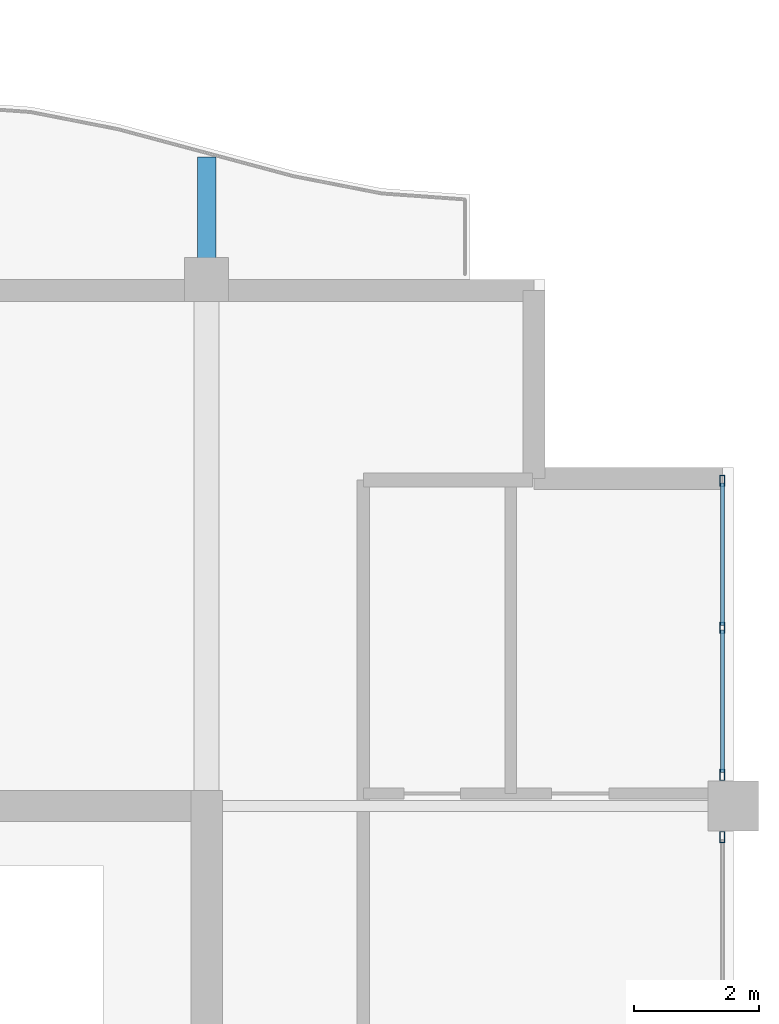
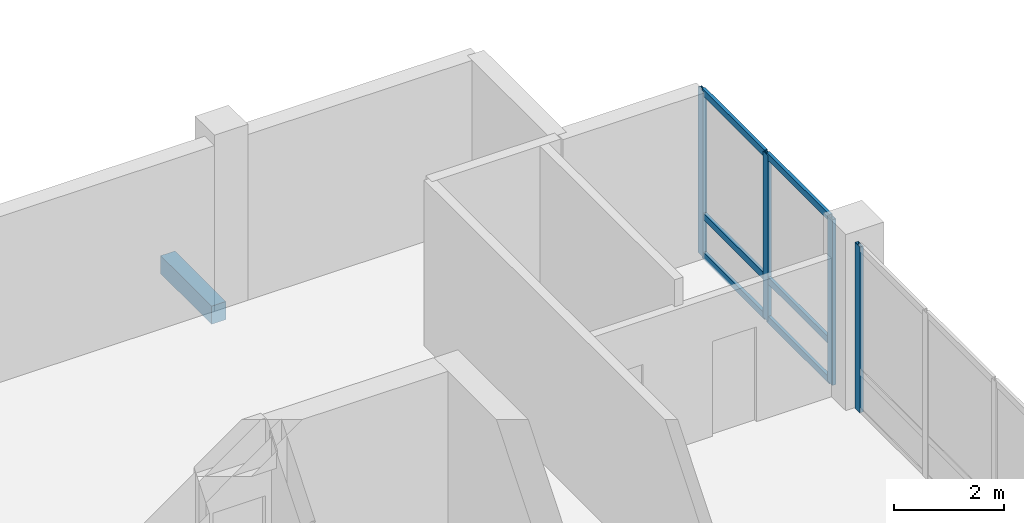
# One storey, part 4 of 15: 10 members, 1 beam, 2 elements without a shape of their own.
"""IFC4 building model written with IfcOpenShell, lengths in metres."""

from ifc_helpers import new_model, si_unit, direction, frame, origin, origin_2d, place, context, subcontext, project, spatial, rectangle, hollow_rectangle, extrude, material, layer, layer_set, material_profile, profile_set, type_object, element, aggregate, save


model = new_model("IFC4")

# Units and contexts
model_context = context("Model", 3, precision=1e-05, world=origin(), true_north=direction((0.0, 1.0)))
body_context = subcontext(model_context, "Body", "Model", "MODEL_VIEW")
ifc_project = project(units=[si_unit("LENGTHUNIT", "METRE"), si_unit("AREAUNIT", "SQUARE_METRE"), si_unit("VOLUMEUNIT", "CUBIC_METRE"), si_unit("PLANEANGLEUNIT", "RADIAN"), si_unit("MASSUNIT", "GRAM", prefix="KILO")], contexts=[model_context])

# Site, building, storey
site_placement = place(None, origin())
site = spatial("IfcSite", under=ifc_project, at=site_placement, CompositionType="ELEMENT")
building_placement = place(site_placement, origin())
building = spatial("IfcBuilding", under=site, at=building_placement, Name="Koriwani Terraces Tower", CompositionType="ELEMENT")
storey_placement = place(building_placement, frame((0.0, 0.0, 324.199951171875)))
storey = spatial("IfcBuildingStorey", under=building, at=storey_placement, Name="L80", CompositionType="ELEMENT", Elevation=324.199951171875)

# Beam
ifc_material_1 = material(Name="Concrete C40/50", Category="concrete")
ifc_material_profile_1 = material_profile(ifc_material_1, rectangle(XDim=0.300048828125, YDim=0.39990234375, at=origin_2d()), Name="Concrete C40/50", Category="LoadBearing")
ifc_profile_set_1 = profile_set([ifc_material_profile_1], Name="Concrete C40/50")
beam_type = type_object("IfcBeamType", Name="BEAM_RC_BALCONY_RIB_300X400", PredefinedType="JOIST", material=ifc_profile_set_1)
beam_placement = place(storey_placement, frame((58.800048828125, 33.699951171875, -0.429931640625), z_axis=(0.0, 1.0, 0.0), x_axis=(-1.0, 0.0, 0.0)))
element("IfcBeam", 1, at=beam_placement, inside=storey, type_object=beam_type, Name="L80 Balcony Bracket Rib NE-3", PredefinedType="JOIST", context=body_context, shape_type="SweptSolid", body=[
    extrude(rectangle(XDim=0.300048828125, YDim=0.39990234375, at=origin_2d()), origin(), (0.0, 0.0, 1.0), 1.85009765625),
])

# Curtain wall, members
ifc_material_2 = material(Name="Anodised Bronze Aluminium", Category="aluminium")
ifc_layer = layer(ifc_material_2, 0.18994140625, Name="Anodised Bronze Aluminium")
ifc_layer_set = layer_set([ifc_layer], Name="Anodised Bronze Aluminium")
curtain_wall_type = type_object("IfcCurtainWallType", Name="CW_PENTHOUSE_ZONE5", PredefinedType="NOTDEFINED", material=ifc_layer_set)
curtain_wall_1_placement = place(storey_placement, origin())
curtain_wall_1 = element("IfcCurtainWall", 2, at=curtain_wall_1_placement, inside=storey, type_object=curtain_wall_type, Name="L80 Unitised Curtain Wall (E_TIP) Bay 1", PredefinedType="NOTDEFINED")
ifc_material_profile_2 = material_profile(ifc_material_2, hollow_rectangle(XDim=0.074951171875, YDim=0.179931640625, WallThickness=0.006103515625, at=origin_2d()), Name="Anodised Bronze Aluminium", Category="LoadBearing")
ifc_profile_set_2 = profile_set([ifc_material_profile_2], Name="Anodised Bronze Aluminium")
member_type_1 = type_object("IfcMemberType", Name="CW_MULLION_180X75", PredefinedType="MULLION", material=ifc_profile_set_2)
member_1_placement = place(storey_placement, frame((67.02490234375, 30.387451171875, 0.0), z_axis=(0.0, 0.0, 1.0), x_axis=(1.0, 0.0, 0.0)))
member_1 = element("IfcMember", 3, at=member_1_placement, type_object=member_type_1, Name="CW-Z5 mullion 1", PredefinedType="MULLION", context=body_context, shape_type="SweptSolid", body=[
    extrude(hollow_rectangle(XDim=0.074951171875, YDim=0.179931640625, WallThickness=0.006103515625, at=origin_2d()), origin(), (0.0, 0.0, 1.0), 3.670166015625),
])
member_2_placement = place(storey_placement, frame((67.02490234375, 28.04248046875, 0.0), z_axis=(0.0, 0.0, 1.0), x_axis=(1.0, 0.0, 0.0)))
member_2 = element("IfcMember", 4, at=member_2_placement, type_object=member_type_1, Name="CW-Z5 mullion 2", PredefinedType="MULLION", context=body_context, shape_type="SweptSolid", body=[
    extrude(hollow_rectangle(XDim=0.074951171875, YDim=0.179931640625, WallThickness=0.006103515625, at=origin_2d()), origin(), (0.0, 0.0, 1.0), 3.670166015625),
])
member_3_placement = place(storey_placement, frame((67.02490234375, 25.697509765625, 0.0), z_axis=(0.0, 0.0, 1.0), x_axis=(1.0, 0.0, 0.0)))
member_3 = element("IfcMember", 5, at=member_3_placement, type_object=member_type_1, Name="CW-Z5 mullion 3", PredefinedType="MULLION", context=body_context, shape_type="SweptSolid", body=[
    extrude(hollow_rectangle(XDim=0.074951171875, YDim=0.179931640625, WallThickness=0.006103515625, at=origin_2d()), origin(), (0.0, 0.0, 1.0), 3.670166015625),
])

# Curtain wall, member
curtain_wall_2_placement = place(storey_placement, origin())
curtain_wall_2 = element("IfcCurtainWall", 6, at=curtain_wall_2_placement, inside=storey, type_object=curtain_wall_type, Name="L80 Unitised Curtain Wall (E_TIP) Bay 2", PredefinedType="NOTDEFINED")
member_4_placement = place(storey_placement, frame((67.02490234375, 24.702392578125, 0.0), z_axis=(0.0, 0.0, 1.0), x_axis=(1.0, 0.0, 0.0)))
member_4 = element("IfcMember", 7, at=member_4_placement, type_object=member_type_1, Name="CW-Z5 mullion 1", PredefinedType="MULLION", context=body_context, shape_type="SweptSolid", body=[
    extrude(hollow_rectangle(XDim=0.074951171875, YDim=0.179931640625, WallThickness=0.006103515625, at=origin_2d()), origin(), (0.0, 0.0, 1.0), 3.670166015625),
])
aggregate(curtain_wall_2, [member_4])

# Member
ifc_material_profile_3 = material_profile(ifc_material_2, hollow_rectangle(XDim=0.06494140625, YDim=0.14990234375, WallThickness=0.0048828125, at=origin_2d()), Name="Anodised Bronze Aluminium", Category="LoadBearing")
ifc_profile_set_3 = profile_set([ifc_material_profile_3], Name="Anodised Bronze Aluminium")
member_type_2 = type_object("IfcMemberType", Name="CW_TRANSOM_150X65", PredefinedType="USERDEFINED", material=ifc_profile_set_3)
member_5_placement = place(storey_placement, frame((67.02490234375, 30.35009765625, 0.032470703125), z_axis=(0.0, -1.0, 0.0), x_axis=(1.0, 0.0, 0.0)))
member_5 = element("IfcMember", 8, at=member_5_placement, type_object=member_type_2, Name="CW-Z5 transom 1.1", ObjectType="TRANSOM", PredefinedType="USERDEFINED", context=body_context, shape_type="SweptSolid", body=[
    extrude(hollow_rectangle(XDim=0.06494140625, YDim=0.14990234375, WallThickness=0.0048828125, at=origin_2d()), origin(), (0.0, 0.0, 1.0), 2.27001953125),
])

member_6_placement = place(storey_placement, frame((67.02490234375, 30.35009765625, 0.900146484375), z_axis=(0.0, -1.0, 0.0), x_axis=(1.0, 0.0, 0.0)))
member_6 = element("IfcMember", 9, at=member_6_placement, type_object=member_type_2, Name="CW-Z5 transom 1.2", ObjectType="TRANSOM", PredefinedType="USERDEFINED", context=body_context, shape_type="SweptSolid", body=[
    extrude(hollow_rectangle(XDim=0.06494140625, YDim=0.14990234375, WallThickness=0.0048828125, at=origin_2d()), origin(), (0.0, 0.0, 1.0), 2.27001953125),
])

member_7_placement = place(storey_placement, frame((67.02490234375, 30.35009765625, 3.637451171875), z_axis=(0.0, -1.0, 0.0), x_axis=(1.0, 0.0, 0.0)))
member_7 = element("IfcMember", 10, at=member_7_placement, type_object=member_type_2, Name="CW-Z5 transom 1.3", ObjectType="TRANSOM", PredefinedType="USERDEFINED", context=body_context, shape_type="SweptSolid", body=[
    extrude(hollow_rectangle(XDim=0.06494140625, YDim=0.14990234375, WallThickness=0.0048828125, at=origin_2d()), origin(), (0.0, 0.0, 1.0), 2.27001953125),
])

member_8_placement = place(storey_placement, frame((67.02490234375, 28.0048828125, 0.032470703125), z_axis=(0.0, -1.0, 0.0), x_axis=(1.0, 0.0, 0.0)))
member_8 = element("IfcMember", 11, at=member_8_placement, type_object=member_type_2, Name="CW-Z5 transom 2.1", ObjectType="TRANSOM", PredefinedType="USERDEFINED", context=body_context, shape_type="SweptSolid", body=[
    extrude(hollow_rectangle(XDim=0.06494140625, YDim=0.14990234375, WallThickness=0.0048828125, at=origin_2d()), origin(), (0.0, 0.0, 1.0), 2.269775390625),
])

member_9_placement = place(storey_placement, frame((67.02490234375, 28.0048828125, 0.900146484375), z_axis=(0.0, -1.0, 0.0), x_axis=(1.0, 0.0, 0.0)))
member_9 = element("IfcMember", 12, at=member_9_placement, type_object=member_type_2, Name="CW-Z5 transom 2.2", ObjectType="TRANSOM", PredefinedType="USERDEFINED", context=body_context, shape_type="SweptSolid", body=[
    extrude(hollow_rectangle(XDim=0.06494140625, YDim=0.14990234375, WallThickness=0.0048828125, at=origin_2d()), origin(), (0.0, 0.0, 1.0), 2.269775390625),
])

member_10_placement = place(storey_placement, frame((67.02490234375, 28.0048828125, 3.637451171875), z_axis=(0.0, -1.0, 0.0), x_axis=(1.0, 0.0, 0.0)))
member_10 = element("IfcMember", 13, at=member_10_placement, type_object=member_type_2, Name="CW-Z5 transom 2.3", ObjectType="TRANSOM", PredefinedType="USERDEFINED", context=body_context, shape_type="SweptSolid", body=[
    extrude(hollow_rectangle(XDim=0.06494140625, YDim=0.14990234375, WallThickness=0.0048828125, at=origin_2d()), origin(), (0.0, 0.0, 1.0), 2.269775390625),
])

aggregate(curtain_wall_1, [member_1, member_2, member_3, member_5, member_6, member_7, member_8, member_9, member_10])

save(model, "model.ifc")
